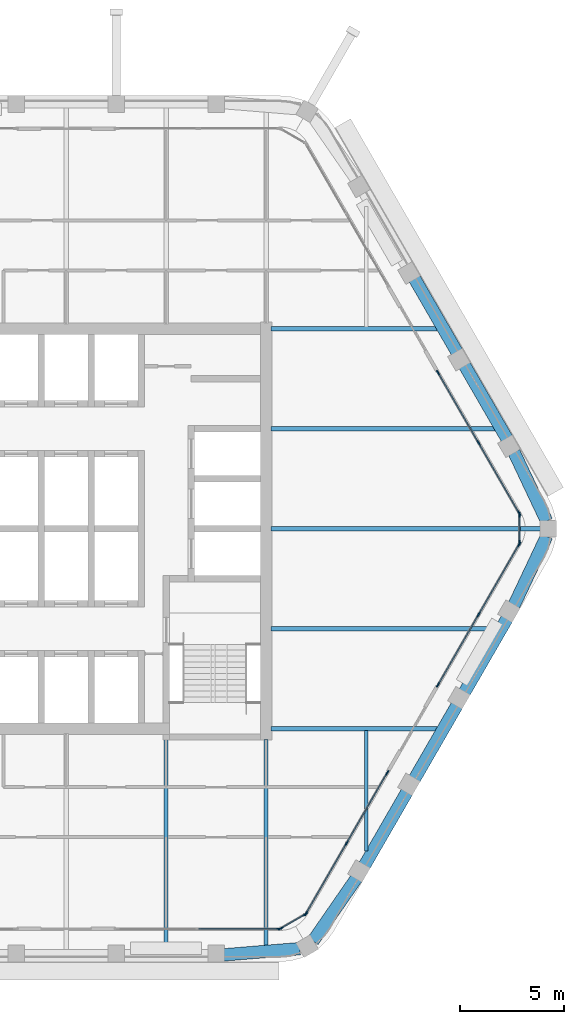
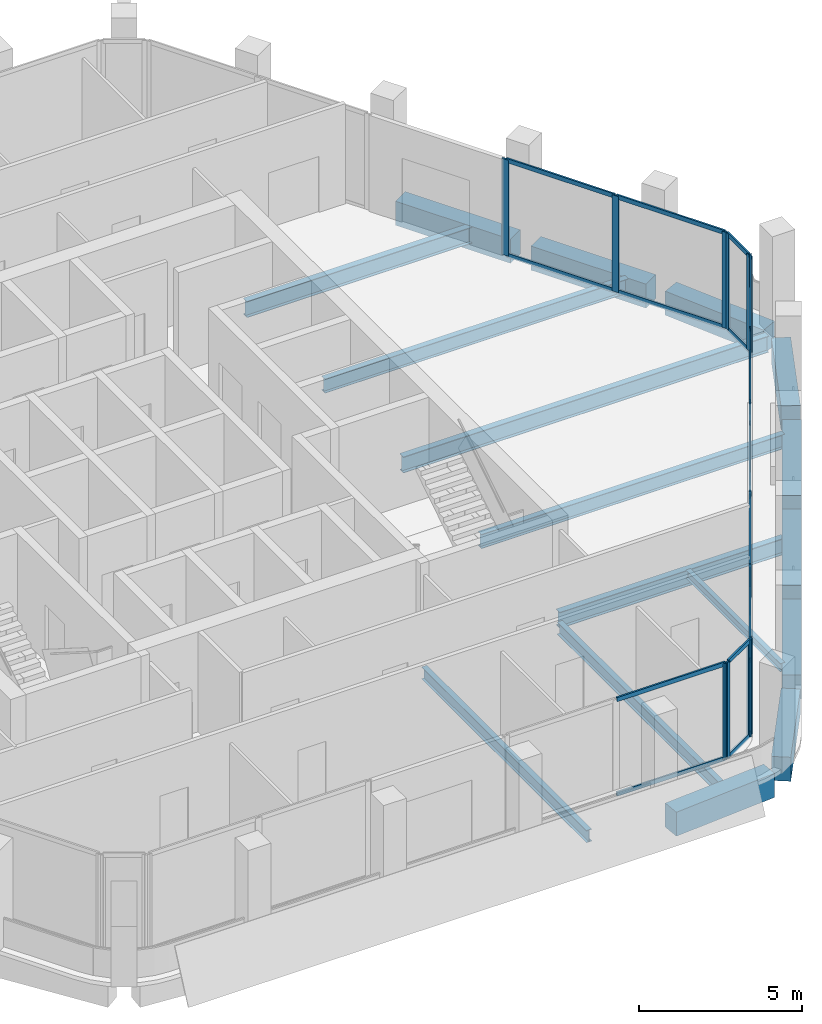
# One storey, part 4 of 14: 32 members, 17 beams, 6 elements without a shape of their own.
"""IFC4 building model written with IfcOpenShell, lengths in metres."""

from ifc_helpers import new_model, si_unit, direction, frame, origin, origin_2d, place, context, subcontext, project, spatial, rectangle, i_section, extrude, material, material_profile, profile_set, type_object, element, aggregate, save


model = new_model("IFC4")

# Units and contexts
model_context = context("Model", 3, precision=1e-05, world=origin(), true_north=direction((0.0, 1.0)))
body_context = subcontext(model_context, "Body", "Model", "MODEL_VIEW")
ifc_project = project(units=[si_unit("LENGTHUNIT", "METRE"), si_unit("AREAUNIT", "SQUARE_METRE"), si_unit("VOLUMEUNIT", "CUBIC_METRE"), si_unit("PLANEANGLEUNIT", "RADIAN"), si_unit("MASSUNIT", "GRAM", prefix="KILO")], contexts=[model_context])

# Site, building, storey
site_placement = place(None, origin())
site = spatial("IfcSite", under=ifc_project, at=site_placement, CompositionType="ELEMENT")
building_placement = place(site_placement, origin())
building = spatial("IfcBuilding", under=site, at=building_placement, Name="Kolab Exchange Tower", CompositionType="ELEMENT")
storey_placement = place(building_placement, frame((0.0, 0.0, 250.10009765625)))
storey = spatial("IfcBuildingStorey", under=building, at=storey_placement, Name="L55", CompositionType="ELEMENT", Elevation=250.10009765625)

# Beams
ifc_material_1 = material(Name="Steel S355", Category="steel")
ifc_material_profile_1 = material_profile(ifc_material_1, i_section(OverallWidth=0.1650390625, OverallDepth=0.31005859375, WebThickness=0.005859375, FlangeThickness=0.009765625, at=origin_2d()), Name="W310X39")
ifc_profile_set_1 = profile_set([ifc_material_profile_1], Name="Steel S355")
beam_type_1 = type_object("IfcBeamType", Name="FLOOR BEAM W310X39", PredefinedType="BEAM", material=ifc_profile_set_1)
beam_1_placement = place(storey_placement, frame((14.39990234375, -15.4677734375, -0.30517578125), z_axis=(0.0, 1.0, 0.0), x_axis=(-1.0, 0.0, 0.0)))
element("IfcBeam", 1, at=beam_1_placement, inside=storey, type_object=beam_type_1, Name="beam/L55/fr/018", PredefinedType="BEAM", context=body_context, shape_type="SweptSolid", body=[
    extrude(i_section(OverallWidth=0.1650390625, OverallDepth=0.31005859375, WebThickness=0.005859375, FlangeThickness=0.009765625, at=origin_2d()), origin(), (0.0, 0.0, 1.0), 5.793701171875),
])
ifc_material_profile_2 = material_profile(ifc_material_1, i_section(OverallWidth=0.18994140625, OverallDepth=0.45703125, WebThickness=0.009033203125, FlangeThickness=0.014404296875, at=origin_2d()), Name="W460X74")
ifc_profile_set_2 = profile_set([ifc_material_profile_2], Name="Steel S355")
beam_type_2 = type_object("IfcBeamType", Name="FLOOR BEAM W460X74", PredefinedType="BEAM", material=ifc_profile_set_2)
beam_2_placement = place(storey_placement, frame((4.800048828125, -20.224609375, -0.378662109375), z_axis=(0.0, 1.0, 0.0), x_axis=(-1.0, 0.0, 0.0)))
element("IfcBeam", 2, at=beam_2_placement, inside=storey, type_object=beam_type_2, Name="beam/L55/fr/011", PredefinedType="BEAM", context=body_context, shape_type="SweptSolid", body=[
    extrude(i_section(OverallWidth=0.18994140625, OverallDepth=0.45703125, WebThickness=0.009033203125, FlangeThickness=0.014404296875, at=origin_2d()), origin(), (0.0, 0.0, 1.0), 10.114501953125),
])
beam_3_placement = place(storey_placement, frame((9.60009765625, -20.027099609375, -0.378662109375), z_axis=(0.0, 1.0, 0.0), x_axis=(-1.0, 0.0, 0.0)))
element("IfcBeam", 3, at=beam_3_placement, inside=storey, type_object=beam_type_2, Name="beam/L55/fr/013", PredefinedType="BEAM", context=body_context, shape_type="SweptSolid", body=[
    extrude(i_section(OverallWidth=0.18994140625, OverallDepth=0.45703125, WebThickness=0.009033203125, FlangeThickness=0.014404296875, at=origin_2d()), origin(), (0.0, 0.0, 1.0), 9.9169921875),
])
ifc_material_profile_3 = material_profile(ifc_material_1, i_section(OverallWidth=0.208984375, OverallDepth=0.532958984375, WebThickness=0.01025390625, FlangeThickness=0.015625, at=origin_2d()), Name="W530X92")
ifc_profile_set_3 = profile_set([ifc_material_profile_3], Name="Steel S355")
beam_type_3 = type_object("IfcBeamType", Name="FLOOR BEAM W530X92", PredefinedType="BEAM", material=ifc_profile_set_3)
for number, where, z_axis, x_axis, name in (
    (4, (9.8349609375, -4.800048828125, -0.41650390625), (1.0, 0.0, 0.0), (0.0, 1.0, 0.0), "beam/L55/fr/015"),
    (5, (9.8349609375, 4.800048828125, -0.41650390625), (1.0, 0.0, 0.0), (0.0, 1.0, 0.0), "beam/L55/fr/017"),
):
    element("IfcBeam", number, at=place(storey_placement, frame(where, z_axis=z_axis, x_axis=x_axis)), inside=storey, type_object=beam_type_3, Name=name, PredefinedType="BEAM", context=body_context, shape_type="SweptSolid", body=[
        extrude(i_section(OverallWidth=0.208984375, OverallDepth=0.532958984375, WebThickness=0.01025390625, FlangeThickness=0.015625, at=origin_2d()), origin(), (0.0, 0.0, 1.0), 10.740966796875),
    ])
ifc_material_profile_4 = material_profile(ifc_material_1, i_section(OverallWidth=0.22802734375, OverallDepth=0.60791015625, WebThickness=0.01123046875, FlangeThickness=0.017333984375, at=origin_2d()), Name="W610X113")
ifc_profile_set_4 = profile_set([ifc_material_profile_4], Name="Steel S355")
beam_type_4 = type_object("IfcBeamType", Name="FLOOR BEAM W610X113", PredefinedType="BEAM", material=ifc_profile_set_4)
beam_4_placement = place(storey_placement, frame((9.8349609375, 0.0, -0.4541015625), z_axis=(1.0, 0.0, 0.0), x_axis=(0.0, 1.0, 0.0)))
element("IfcBeam", 6, at=beam_4_placement, inside=storey, type_object=beam_type_4, Name="beam/L55/fr/016", PredefinedType="BEAM", context=body_context, shape_type="SweptSolid", body=[
    extrude(i_section(OverallWidth=0.22802734375, OverallDepth=0.60791015625, WebThickness=0.01123046875, FlangeThickness=0.017333984375, at=origin_2d()), origin(), (0.0, 0.0, 1.0), 12.94091796875),
])
ifc_material_profile_5 = material_profile(ifc_material_1, i_section(OverallWidth=0.22802734375, OverallDepth=0.60791015625, WebThickness=0.01123046875, FlangeThickness=0.017333984375, at=origin_2d()), Name="W610X113")
ifc_profile_set_5 = profile_set([ifc_material_profile_5], Name="Steel S355")
beam_type_5 = type_object("IfcBeamType", Name="FLOOR GIRDER W610X113", PredefinedType="BEAM", material=ifc_profile_set_5)
for number, where, z_axis, x_axis, name in (
    (7, (9.8349609375, -9.60009765625, -0.4541015625), (1.0, 0.0, 0.0), (0.0, 1.0, 0.0), "beam/L55/gd/002"),
    (8, (9.8349609375, 9.60009765625, -0.4541015625), (1.0, 0.0, 0.0), (0.0, 1.0, 0.0), "beam/L55/gd/003"),
):
    element("IfcBeam", number, at=place(storey_placement, frame(where, z_axis=z_axis, x_axis=x_axis)), inside=storey, type_object=beam_type_5, Name=name, PredefinedType="BEAM", context=body_context, shape_type="SweptSolid", body=[
        extrude(i_section(OverallWidth=0.22802734375, OverallDepth=0.60791015625, WebThickness=0.01123046875, FlangeThickness=0.017333984375, at=origin_2d()), origin(), (0.0, 0.0, 1.0), 7.9697265625),
    ])
ifc_material_2 = material(Name="Concrete C50/60", Category="concrete")
ifc_material_profile_6 = material_profile(ifc_material_2, rectangle(XDim=0.60009765625, YDim=0.89990234375, at=origin_2d()), Name="RC600X900")
ifc_profile_set_6 = profile_set([ifc_material_profile_6], Name="Concrete C50/60")
beam_type_6 = type_object("IfcBeamType", Name="SPANDREL BEAM 600X900 C50/60", PredefinedType="BEAM", material=ifc_profile_set_6)
for number, where, z_axis, x_axis, name in (
    (9, (16.72021484375, 12.009033203125, -0.60009765625), (0.500000428765, -0.866025156237, 0.0), (0.866025156237, 0.500000428765, 0.0), "beam/L55/sp/F2-03"),
    (10, (19.1201171875, 7.85205078125, -0.60009765625), (0.500000428765, -0.866025156237, 0.0), (0.866025156237, 0.500000428765, 0.0), "beam/L55/sp/F2-04"),
):
    element("IfcBeam", number, at=place(storey_placement, frame(where, z_axis=z_axis, x_axis=x_axis)), inside=storey, type_object=beam_type_6, Name=name, PredefinedType="BEAM", context=body_context, shape_type="SweptSolid", body=[
        extrude(rectangle(XDim=0.60009765625, YDim=0.89990234375, at=origin_2d()), origin(), (0.0, 0.0, 1.0), 4.080078125),
    ])
for number, where, z_axis, x_axis, name in (
    (11, (21.49462890625, 3.68017578125, -0.60009765625), (0.427677251998, -0.903931506323, 0.0), (0.903931506323, 0.427677251998, 0.0), "beam/L55/sp/F2-05"),
    (12, (23.063720703125, -0.36376953125, -0.60009765625), (-0.427677251998, -0.903931506323, 0.0), (0.903931506323, -0.427677251998, 0.0), "beam/L55/sp/F3-01"),
):
    element("IfcBeam", number, at=place(storey_placement, frame(where, z_axis=z_axis, x_axis=x_axis)), inside=storey, type_object=beam_type_6, Name=name, PredefinedType="BEAM", context=body_context, shape_type="SweptSolid", body=[
        extrude(rectangle(XDim=0.60009765625, YDim=0.89990234375, at=origin_2d()), origin(), (0.0, 0.0, 1.0), 3.6689453125),
    ])
for number, where, z_axis, x_axis, name in (
    (13, (21.16015625, -4.318603515625, -0.60009765625), (-0.500000428765, -0.866025156237, 0.0), (0.866025156237, -0.500000428765, 0.0), "beam/L55/sp/F3-02"),
    (14, (18.76025390625, -8.4755859375, -0.60009765625), (-0.500000428765, -0.866025156237, 0.0), (0.866025156237, -0.500000428765, 0.0), "beam/L55/sp/F3-03"),
):
    element("IfcBeam", number, at=place(storey_placement, frame(where, z_axis=z_axis, x_axis=x_axis)), inside=storey, type_object=beam_type_6, Name=name, PredefinedType="BEAM", context=body_context, shape_type="SweptSolid", body=[
        extrude(rectangle(XDim=0.60009765625, YDim=0.89990234375, at=origin_2d()), origin(), (0.0, 0.0, 1.0), 4.080078125),
    ])
beam_5_placement = place(storey_placement, frame((16.360107421875, -12.632568359375, -0.60009765625), z_axis=(-0.499955548806, -0.866051066172, 0.0), x_axis=(0.866051066172, -0.499955548806, 0.0)))
element("IfcBeam", 15, at=beam_5_placement, inside=storey, type_object=beam_type_6, Name="beam/L55/sp/F3-04", PredefinedType="BEAM", context=body_context, shape_type="SweptSolid", body=[
    extrude(rectangle(XDim=0.60009765625, YDim=0.89990234375, at=origin_2d()), origin(), (0.0, 0.0, 1.0), 4.079833984375),
])
for number, where, z_axis, x_axis, name in (
    (16, (13.9345703125, -16.77490234375, -0.60009765625), (-0.569005808573, -0.822333502789, 0.0), (0.822333502789, -0.569005808573, 0.0), "beam/L55/sp/F3-05"),
    (17, (11.216796875, -20.15576171875, -0.60009765625), (-0.996666751878, -0.081580547323, 0.0), (0.081580547323, -0.996666751878, 0.0), "beam/L55/sp/F4-01"),
):
    element("IfcBeam", number, at=place(storey_placement, frame(where, z_axis=z_axis, x_axis=x_axis)), inside=storey, type_object=beam_type_6, Name=name, PredefinedType="BEAM", context=body_context, shape_type="SweptSolid", body=[
        extrude(rectangle(XDim=0.60009765625, YDim=0.89990234375, at=origin_2d()), origin(), (0.0, 0.0, 1.0), 3.6689453125),
    ])

# Curtain wall, members
ifc_material_3 = material(Name="Aluminium EN AW-6063 T6", Category="aluminium")
curtain_wall_type = type_object("IfcCurtainWallType", Name="UNITISED HIGH ZONE CURTAIN WALL", PredefinedType="NOTDEFINED", material=ifc_material_3)
curtain_wall_1_placement = place(storey_placement, origin())
curtain_wall_1 = element("IfcCurtainWall", 18, at=curtain_wall_1_placement, inside=storey, type_object=curtain_wall_type, Name="cw/L55/F2-2", PredefinedType="NOTDEFINED")
ifc_material_profile_7 = material_profile(ifc_material_3, rectangle(XDim=0.06005859375, YDim=0.239990234375, at=origin_2d()), Name="RECT 60X240")
ifc_profile_set_7 = profile_set([ifc_material_profile_7], Name="Aluminium EN AW-6063 T6")
member_type_1 = type_object("IfcMemberType", Name="UNITISED HIGH ZONE MULLION 60 X 240", PredefinedType="MULLION", material=ifc_profile_set_7)
member_1_placement = place(storey_placement, frame((17.8466796875, 7.497802734375, 0.0), z_axis=(0.0, 0.0, 1.0), x_axis=(0.866025440524, 0.499999936366, 0.0)))
member_1 = element("IfcMember", 19, at=member_1_placement, type_object=member_type_1, Name="CW4 mullion 1", PredefinedType="MULLION", context=body_context, shape_type="SweptSolid", body=[
    extrude(rectangle(XDim=0.06005859375, YDim=0.239990234375, at=origin_2d()), origin(), (0.0, 0.0, 1.0), 3.599853515625),
])
member_2_placement = place(storey_placement, frame((19.798583984375, 4.116943359375, 0.0), z_axis=(0.0, 0.0, 1.0), x_axis=(0.866025440524, 0.499999936366, 0.0)))
member_2 = element("IfcMember", 20, at=member_2_placement, type_object=member_type_1, Name="CW4 mullion 2", PredefinedType="MULLION", context=body_context, shape_type="SweptSolid", body=[
    extrude(rectangle(XDim=0.06005859375, YDim=0.239990234375, at=origin_2d()), origin(), (0.0, 0.0, 1.0), 3.599853515625),
])
member_3_placement = place(storey_placement, frame((21.750732421875, 0.736083984375, 0.0), z_axis=(0.0, 0.0, 1.0), x_axis=(0.866025440524, 0.499999936366, 0.0)))
member_3 = element("IfcMember", 21, at=member_3_placement, type_object=member_type_1, Name="CW4 mullion 3", PredefinedType="MULLION", context=body_context, shape_type="SweptSolid", body=[
    extrude(rectangle(XDim=0.06005859375, YDim=0.239990234375, at=origin_2d()), origin(), (0.0, 0.0, 1.0), 3.599853515625),
])

curtain_wall_2_placement = place(storey_placement, origin())
curtain_wall_2 = element("IfcCurtainWall", 22, at=curtain_wall_2_placement, inside=storey, type_object=curtain_wall_type, Name="cw/L55/F3-1", PredefinedType="NOTDEFINED")
member_4_placement = place(storey_placement, frame((21.750732421875, -0.736083984375, 0.0), z_axis=(0.0, 0.0, 1.0), x_axis=(0.866025440524, -0.499999936366, 0.0)))
member_4 = element("IfcMember", 23, at=member_4_placement, type_object=member_type_1, Name="CW4 mullion 1", PredefinedType="MULLION", context=body_context, shape_type="SweptSolid", body=[
    extrude(rectangle(XDim=0.06005859375, YDim=0.239990234375, at=origin_2d()), origin(), (0.0, 0.0, 1.0), 3.599853515625),
])
member_5_placement = place(storey_placement, frame((19.798583984375, -4.116943359375, 0.0), z_axis=(0.0, 0.0, 1.0), x_axis=(0.866025440524, -0.499999936366, 0.0)))
member_5 = element("IfcMember", 24, at=member_5_placement, type_object=member_type_1, Name="CW4 mullion 2", PredefinedType="MULLION", context=body_context, shape_type="SweptSolid", body=[
    extrude(rectangle(XDim=0.06005859375, YDim=0.239990234375, at=origin_2d()), origin(), (0.0, 0.0, 1.0), 3.599853515625),
])
member_6_placement = place(storey_placement, frame((17.8466796875, -7.497802734375, 0.0), z_axis=(0.0, 0.0, 1.0), x_axis=(0.866025440524, -0.499999936366, 0.0)))
member_6 = element("IfcMember", 25, at=member_6_placement, type_object=member_type_1, Name="CW4 mullion 3", PredefinedType="MULLION", context=body_context, shape_type="SweptSolid", body=[
    extrude(rectangle(XDim=0.06005859375, YDim=0.239990234375, at=origin_2d()), origin(), (0.0, 0.0, 1.0), 3.599853515625),
])

curtain_wall_3_placement = place(storey_placement, origin())
curtain_wall_3 = element("IfcCurtainWall", 26, at=curtain_wall_3_placement, inside=storey, type_object=curtain_wall_type, Name="cw/L55/F3-2", PredefinedType="NOTDEFINED")
member_7_placement = place(storey_placement, frame((15.416748046875, -11.706787109375, 0.0), z_axis=(0.0, 0.0, 1.0), x_axis=(0.866025385493, -0.500000031681, 0.0)))
member_7 = element("IfcMember", 27, at=member_7_placement, type_object=member_type_1, Name="CW4 mullion 1", PredefinedType="MULLION", context=body_context, shape_type="SweptSolid", body=[
    extrude(rectangle(XDim=0.06005859375, YDim=0.239990234375, at=origin_2d()), origin(), (0.0, 0.0, 1.0), 3.599853515625),
])
member_8_placement = place(storey_placement, frame((13.464599609375, -15.087646484375, 0.0), z_axis=(0.0, 0.0, 1.0), x_axis=(0.866025385493, -0.500000031681, 0.0)))
member_8 = element("IfcMember", 28, at=member_8_placement, type_object=member_type_1, Name="CW4 mullion 2", PredefinedType="MULLION", context=body_context, shape_type="SweptSolid", body=[
    extrude(rectangle(XDim=0.06005859375, YDim=0.239990234375, at=origin_2d()), origin(), (0.0, 0.0, 1.0), 3.599853515625),
])
member_9_placement = place(storey_placement, frame((11.5126953125, -18.46875, 0.0), z_axis=(0.0, 0.0, 1.0), x_axis=(0.866025385493, -0.500000031681, 0.0)))
member_9 = element("IfcMember", 29, at=member_9_placement, type_object=member_type_1, Name="CW4 mullion 3", PredefinedType="MULLION", context=body_context, shape_type="SweptSolid", body=[
    extrude(rectangle(XDim=0.06005859375, YDim=0.239990234375, at=origin_2d()), origin(), (0.0, 0.0, 1.0), 3.599853515625),
])

# Curtain wall, member
curtain_wall_4_placement = place(storey_placement, origin())
curtain_wall_4 = element("IfcCurtainWall", 30, at=curtain_wall_4_placement, inside=storey, type_object=curtain_wall_type, Name="cw/L55/F4-1", PredefinedType="NOTDEFINED")
member_10_placement = place(storey_placement, frame((10.238037109375, -19.20458984375, 0.0), z_axis=(0.0, 0.0, 1.0), x_axis=(0.0, -1.0, 0.0)))
member_10 = element("IfcMember", 31, at=member_10_placement, type_object=member_type_1, Name="CW4 mullion 1", PredefinedType="MULLION", context=body_context, shape_type="SweptSolid", body=[
    extrude(rectangle(XDim=0.06005859375, YDim=0.239990234375, at=origin_2d()), origin(), (0.0, 0.0, 1.0), 3.599853515625),
])

# Curtain wall, members
curtain_wall_5_placement = place(storey_placement, origin())
curtain_wall_5 = element("IfcCurtainWall", 32, at=curtain_wall_5_placement, inside=storey, type_object=curtain_wall_type, Name="cw/L55/F2F3-corner", PredefinedType="NOTDEFINED")
member_11_placement = place(storey_placement, frame((21.765625, 0.679931640625, 0.0), z_axis=(0.0, 0.0, 1.0), x_axis=(1.0, 0.0, 0.0)))
member_11 = element("IfcMember", 33, at=member_11_placement, type_object=member_type_1, Name="CW4 mullion 1", PredefinedType="MULLION", context=body_context, shape_type="SweptSolid", body=[
    extrude(rectangle(XDim=0.06005859375, YDim=0.239990234375, at=origin_2d()), origin(), (0.0, 0.0, 1.0), 3.599853515625),
])
member_12_placement = place(storey_placement, frame((21.765625, -0.679931640625, 0.0), z_axis=(0.0, 0.0, 1.0), x_axis=(1.0, 0.0, 0.0)))
member_12 = element("IfcMember", 34, at=member_12_placement, type_object=member_type_1, Name="CW4 mullion 2", PredefinedType="MULLION", context=body_context, shape_type="SweptSolid", body=[
    extrude(rectangle(XDim=0.06005859375, YDim=0.239990234375, at=origin_2d()), origin(), (0.0, 0.0, 1.0), 3.599853515625),
])

curtain_wall_6_placement = place(storey_placement, origin())
curtain_wall_6 = element("IfcCurtainWall", 35, at=curtain_wall_6_placement, inside=storey, type_object=curtain_wall_type, Name="cw/L55/F3F4-corner", PredefinedType="NOTDEFINED")
member_13_placement = place(storey_placement, frame((11.4716796875, -18.509521484375, 0.0), z_axis=(0.0, 0.0, 1.0), x_axis=(0.50000002237, -0.866025390869, 0.0)))
member_13 = element("IfcMember", 36, at=member_13_placement, type_object=member_type_1, Name="CW4 mullion 1", PredefinedType="MULLION", context=body_context, shape_type="SweptSolid", body=[
    extrude(rectangle(XDim=0.06005859375, YDim=0.239990234375, at=origin_2d()), origin(), (0.0, 0.0, 1.0), 3.599853515625),
])
member_14_placement = place(storey_placement, frame((10.2939453125, -19.189697265625, 0.0), z_axis=(0.0, 0.0, 1.0), x_axis=(0.50000002237, -0.866025390869, 0.0)))
member_14 = element("IfcMember", 37, at=member_14_placement, type_object=member_type_1, Name="CW4 mullion 2", PredefinedType="MULLION", context=body_context, shape_type="SweptSolid", body=[
    extrude(rectangle(XDim=0.06005859375, YDim=0.239990234375, at=origin_2d()), origin(), (0.0, 0.0, 1.0), 3.599853515625),
])

# Member
ifc_material_profile_8 = material_profile(ifc_material_3, rectangle(XDim=0.06005859375, YDim=0.159912109375, at=origin_2d()), Name="RECT 60X160")
ifc_profile_set_8 = profile_set([ifc_material_profile_8], Name="Aluminium EN AW-6063 T6")
member_type_2 = type_object("IfcMemberType", Name="UNITISED HIGH ZONE TRANSOM 60 X 160", PredefinedType="USERDEFINED", material=ifc_profile_set_8)
member_15_placement = place(storey_placement, frame((17.861572265625, 7.471923828125, 0.02978515625), z_axis=(0.500011990396, -0.866018481016, 0.0), x_axis=(0.866018481016, 0.500011990396, 0.0)))
member_15 = element("IfcMember", 38, at=member_15_placement, type_object=member_type_2, Name="CW4 transom 1.1", ObjectType="TRANSOM", PredefinedType="USERDEFINED", context=body_context, shape_type="SweptSolid", body=[
    extrude(rectangle(XDim=0.06005859375, YDim=0.159912109375, at=origin_2d()), origin(), (0.0, 0.0, 1.0), 3.84423828125),
])

member_16_placement = place(storey_placement, frame((17.861572265625, 7.471923828125, 3.56982421875), z_axis=(0.500011990396, -0.866018481016, 0.0), x_axis=(0.866018481016, 0.500011990396, 0.0)))
member_16 = element("IfcMember", 39, at=member_16_placement, type_object=member_type_2, Name="CW4 transom 1.2", ObjectType="TRANSOM", PredefinedType="USERDEFINED", context=body_context, shape_type="SweptSolid", body=[
    extrude(rectangle(XDim=0.06005859375, YDim=0.159912109375, at=origin_2d()), origin(), (0.0, 0.0, 1.0), 3.84423828125),
])

member_17_placement = place(storey_placement, frame((19.813720703125, 4.0908203125, 0.02978515625), z_axis=(0.499991857942, -0.866030104553, 0.0), x_axis=(0.866030104553, 0.499991857942, 0.0)))
member_17 = element("IfcMember", 40, at=member_17_placement, type_object=member_type_2, Name="CW4 transom 2.1", ObjectType="TRANSOM", PredefinedType="USERDEFINED", context=body_context, shape_type="SweptSolid", body=[
    extrude(rectangle(XDim=0.06005859375, YDim=0.159912109375, at=origin_2d()), origin(), (0.0, 0.0, 1.0), 3.84375),
])

member_18_placement = place(storey_placement, frame((19.813720703125, 4.0908203125, 3.56982421875), z_axis=(0.499991857942, -0.866030104553, 0.0), x_axis=(0.866030104553, 0.499991857942, 0.0)))
member_18 = element("IfcMember", 41, at=member_18_placement, type_object=member_type_2, Name="CW4 transom 2.2", ObjectType="TRANSOM", PredefinedType="USERDEFINED", context=body_context, shape_type="SweptSolid", body=[
    extrude(rectangle(XDim=0.06005859375, YDim=0.159912109375, at=origin_2d()), origin(), (0.0, 0.0, 1.0), 3.84375),
])

aggregate(curtain_wall_1, [member_1, member_2, member_3, member_15, member_16, member_17, member_18])

member_19_placement = place(storey_placement, frame((21.735595703125, -0.761962890625, 0.02978515625), z_axis=(-0.499991857942, -0.866030104553, 0.0), x_axis=(0.866030104553, -0.499991857942, 0.0)))
member_19 = element("IfcMember", 42, at=member_19_placement, type_object=member_type_2, Name="CW4 transom 1.1", ObjectType="TRANSOM", PredefinedType="USERDEFINED", context=body_context, shape_type="SweptSolid", body=[
    extrude(rectangle(XDim=0.06005859375, YDim=0.159912109375, at=origin_2d()), origin(), (0.0, 0.0, 1.0), 3.84375),
])

member_20_placement = place(storey_placement, frame((21.735595703125, -0.761962890625, 3.56982421875), z_axis=(-0.499991857942, -0.866030104553, 0.0), x_axis=(0.866030104553, -0.499991857942, 0.0)))
member_20 = element("IfcMember", 43, at=member_20_placement, type_object=member_type_2, Name="CW4 transom 1.2", ObjectType="TRANSOM", PredefinedType="USERDEFINED", context=body_context, shape_type="SweptSolid", body=[
    extrude(rectangle(XDim=0.06005859375, YDim=0.159912109375, at=origin_2d()), origin(), (0.0, 0.0, 1.0), 3.84375),
])

member_21_placement = place(storey_placement, frame((19.78369140625, -4.142822265625, 0.02978515625), z_axis=(-0.500011990396, -0.866018481016, 0.0), x_axis=(0.866018481016, -0.500011990396, 0.0)))
member_21 = element("IfcMember", 44, at=member_21_placement, type_object=member_type_2, Name="CW4 transom 2.1", ObjectType="TRANSOM", PredefinedType="USERDEFINED", context=body_context, shape_type="SweptSolid", body=[
    extrude(rectangle(XDim=0.06005859375, YDim=0.159912109375, at=origin_2d()), origin(), (0.0, 0.0, 1.0), 3.84423828125),
])

member_22_placement = place(storey_placement, frame((19.78369140625, -4.142822265625, 3.56982421875), z_axis=(-0.500011990396, -0.866018481016, 0.0), x_axis=(0.866018481016, -0.500011990396, 0.0)))
member_22 = element("IfcMember", 45, at=member_22_placement, type_object=member_type_2, Name="CW4 transom 2.2", ObjectType="TRANSOM", PredefinedType="USERDEFINED", context=body_context, shape_type="SweptSolid", body=[
    extrude(rectangle(XDim=0.06005859375, YDim=0.159912109375, at=origin_2d()), origin(), (0.0, 0.0, 1.0), 3.84423828125),
])

aggregate(curtain_wall_2, [member_4, member_5, member_6, member_19, member_20, member_21, member_22])

member_23_placement = place(storey_placement, frame((15.401611328125, -11.732666015625, 0.02978515625), z_axis=(-0.499964356602, -0.866045981532, 0.0), x_axis=(0.866045981532, -0.499964356602, 0.0)))
member_23 = element("IfcMember", 46, at=member_23_placement, type_object=member_type_2, Name="CW4 transom 1.1", ObjectType="TRANSOM", PredefinedType="USERDEFINED", context=body_context, shape_type="SweptSolid", body=[
    extrude(rectangle(XDim=0.06005859375, YDim=0.159912109375, at=origin_2d()), origin(), (0.0, 0.0, 1.0), 3.843994140625),
])

member_24_placement = place(storey_placement, frame((15.401611328125, -11.732666015625, 3.56982421875), z_axis=(-0.499964356602, -0.866045981532, 0.0), x_axis=(0.866045981532, -0.499964356602, 0.0)))
member_24 = element("IfcMember", 47, at=member_24_placement, type_object=member_type_2, Name="CW4 transom 1.2", ObjectType="TRANSOM", PredefinedType="USERDEFINED", context=body_context, shape_type="SweptSolid", body=[
    extrude(rectangle(XDim=0.06005859375, YDim=0.159912109375, at=origin_2d()), origin(), (0.0, 0.0, 1.0), 3.843994140625),
])

member_25_placement = place(storey_placement, frame((13.44970703125, -15.11376953125, 0.02978515625), z_axis=(-0.500039492609, -0.866002601515, 0.0), x_axis=(0.866002601515, -0.500039492609, 0.0)))
member_25 = element("IfcMember", 48, at=member_25_placement, type_object=member_type_2, Name="CW4 transom 2.1", ObjectType="TRANSOM", PredefinedType="USERDEFINED", context=body_context, shape_type="SweptSolid", body=[
    extrude(rectangle(XDim=0.06005859375, YDim=0.159912109375, at=origin_2d()), origin(), (0.0, 0.0, 1.0), 3.843994140625),
])

member_26_placement = place(storey_placement, frame((13.44970703125, -15.11376953125, 3.56982421875), z_axis=(-0.500039492609, -0.866002601515, 0.0), x_axis=(0.866002601515, -0.500039492609, 0.0)))
member_26 = element("IfcMember", 49, at=member_26_placement, type_object=member_type_2, Name="CW4 transom 2.2", ObjectType="TRANSOM", PredefinedType="USERDEFINED", context=body_context, shape_type="SweptSolid", body=[
    extrude(rectangle(XDim=0.06005859375, YDim=0.159912109375, at=origin_2d()), origin(), (0.0, 0.0, 1.0), 3.843994140625),
])

aggregate(curtain_wall_3, [member_7, member_8, member_9, member_23, member_24, member_25, member_26])

member_27_placement = place(storey_placement, frame((10.2080078125, -19.20458984375, 0.02978515625), z_axis=(-1.0, 0.0, 0.0), x_axis=(0.0, -1.0, 0.0)))
member_27 = element("IfcMember", 50, at=member_27_placement, type_object=member_type_2, Name="CW4 transom 1.1", ObjectType="TRANSOM", PredefinedType="USERDEFINED", context=body_context, shape_type="SweptSolid", body=[
    extrude(rectangle(XDim=0.06005859375, YDim=0.159912109375, at=origin_2d()), origin(), (0.0, 0.0, 1.0), 3.843994140625),
])

member_28_placement = place(storey_placement, frame((10.2080078125, -19.20458984375, 3.56982421875), z_axis=(-1.0, 0.0, 0.0), x_axis=(0.0, -1.0, 0.0)))
member_28 = element("IfcMember", 51, at=member_28_placement, type_object=member_type_2, Name="CW4 transom 1.2", ObjectType="TRANSOM", PredefinedType="USERDEFINED", context=body_context, shape_type="SweptSolid", body=[
    extrude(rectangle(XDim=0.06005859375, YDim=0.159912109375, at=origin_2d()), origin(), (0.0, 0.0, 1.0), 3.843994140625),
])

aggregate(curtain_wall_4, [member_10, member_27, member_28])

member_29_placement = place(storey_placement, frame((21.765625, 0.64990234375, 0.02978515625), z_axis=(0.0, -1.0, 0.0), x_axis=(1.0, 0.0, 0.0)))
member_29 = element("IfcMember", 52, at=member_29_placement, type_object=member_type_2, Name="CW4 transom 1.1", ObjectType="TRANSOM", PredefinedType="USERDEFINED", context=body_context, shape_type="SweptSolid", body=[
    extrude(rectangle(XDim=0.06005859375, YDim=0.159912109375, at=origin_2d()), origin(), (0.0, 0.0, 1.0), 1.2998046875),
])

member_30_placement = place(storey_placement, frame((21.765625, 0.64990234375, 3.56982421875), z_axis=(0.0, -1.0, 0.0), x_axis=(1.0, 0.0, 0.0)))
member_30 = element("IfcMember", 53, at=member_30_placement, type_object=member_type_2, Name="CW4 transom 1.2", ObjectType="TRANSOM", PredefinedType="USERDEFINED", context=body_context, shape_type="SweptSolid", body=[
    extrude(rectangle(XDim=0.06005859375, YDim=0.159912109375, at=origin_2d()), origin(), (0.0, 0.0, 1.0), 1.2998046875),
])

aggregate(curtain_wall_5, [member_11, member_12, member_29, member_30])

member_31_placement = place(storey_placement, frame((11.44580078125, -18.524658203125, 0.02978515625), z_axis=(-0.866085525409, -0.49989585183, 0.0), x_axis=(0.49989585183, -0.866085525409, 0.0)))
member_31 = element("IfcMember", 54, at=member_31_placement, type_object=member_type_2, Name="CW4 transom 1.1", ObjectType="TRANSOM", PredefinedType="USERDEFINED", context=body_context, shape_type="SweptSolid", body=[
    extrude(rectangle(XDim=0.06005859375, YDim=0.159912109375, at=origin_2d()), origin(), (0.0, 0.0, 1.0), 1.300048828125),
])

member_32_placement = place(storey_placement, frame((11.44580078125, -18.524658203125, 3.56982421875), z_axis=(-0.866085525409, -0.49989585183, 0.0), x_axis=(0.49989585183, -0.866085525409, 0.0)))
member_32 = element("IfcMember", 55, at=member_32_placement, type_object=member_type_2, Name="CW4 transom 1.2", ObjectType="TRANSOM", PredefinedType="USERDEFINED", context=body_context, shape_type="SweptSolid", body=[
    extrude(rectangle(XDim=0.06005859375, YDim=0.159912109375, at=origin_2d()), origin(), (0.0, 0.0, 1.0), 1.300048828125),
])

aggregate(curtain_wall_6, [member_13, member_14, member_31, member_32])

save(model, "model.ifc")
